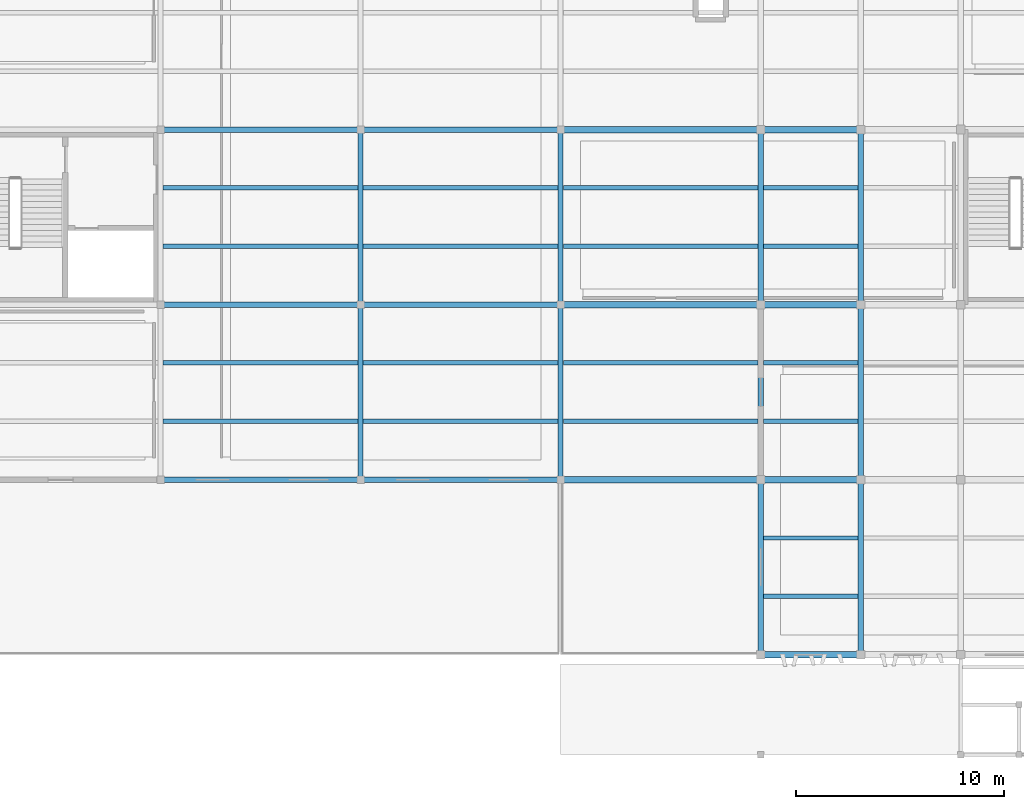
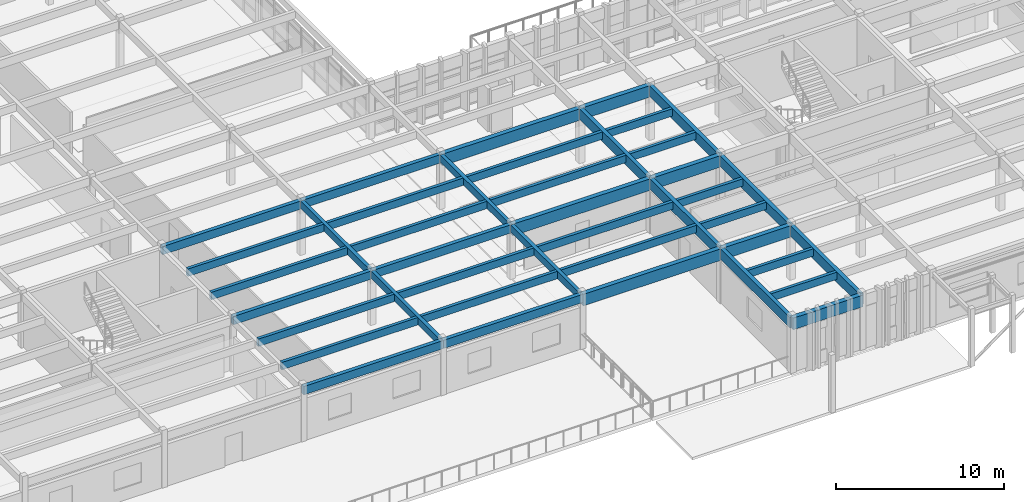
# One storey, part 6 of 61: 41 beams.
"""IFC4 building model written with IfcOpenShell, lengths in metres."""

from ifc_helpers import new_model, si_unit, direction, frame, origin, origin_2d, place, context, subcontext, project, spatial, rectangle, extrude, material, material_profile, profile_set, type_object, element, save


model = new_model("IFC4")

# Units and contexts
model_context = context("Model", 3, precision=1e-05, world=origin(), true_north=direction((0.0, 1.0)))
body_context = subcontext(model_context, "Body", "Model", "MODEL_VIEW")
ifc_project = project(units=[si_unit("LENGTHUNIT", "METRE"), si_unit("AREAUNIT", "SQUARE_METRE"), si_unit("VOLUMEUNIT", "CUBIC_METRE"), si_unit("PLANEANGLEUNIT", "RADIAN"), si_unit("MASSUNIT", "GRAM", prefix="KILO")], contexts=[model_context])

# Site, building, storey
site_placement = place(None, origin())
site = spatial("IfcSite", under=ifc_project, at=site_placement, CompositionType="ELEMENT")
building_placement = place(site_placement, origin())
building = spatial("IfcBuilding", under=site, at=building_placement, Name="Kolvemor Railside Polytechnic", CompositionType="ELEMENT")
storey_placement = place(building_placement, frame((0.0, 0.0, 10.199951171875)))
storey = spatial("IfcBuildingStorey", under=building, at=storey_placement, Name="L02", CompositionType="ELEMENT", Elevation=10.199951171875)

# Beams
ifc_material_1 = material(Name="Glulam GL28h", Category="wood")
ifc_material_profile_1 = material_profile(ifc_material_1, rectangle(XDim=0.264892578125, YDim=0.760009765625, at=origin_2d()), Name="GL265x760")
ifc_profile_set_1 = profile_set([ifc_material_profile_1], Name="Glulam GL28h")
beam_type_1 = type_object("IfcBeamType", Name="BM-GL-GIRD1", PredefinedType="BEAM", material=ifc_profile_set_1)
beam_1_placement = place(storey_placement, frame((57.60009765625, 4.800048828125, 3.570068359375), z_axis=(0.0, 1.0, 0.0), x_axis=(-1.0, 0.0, 0.0)))
element("IfcBeam", 1, at=beam_1_placement, inside=storey, type_object=beam_type_1, Name="Primary Girder L03-GY 1261", PredefinedType="BEAM", context=body_context, shape_type="SweptSolid", body=[
    extrude(rectangle(XDim=0.264892578125, YDim=0.760009765625, at=origin_2d()), origin(), (0.0, 0.0, 1.0), 8.39990234375),
])
beam_2_placement = place(storey_placement, frame((57.60009765625, 13.199951171875, 3.570068359375), z_axis=(0.0, 1.0, 0.0), x_axis=(-1.0, 0.0, 0.0)))
element("IfcBeam", 2, at=beam_2_placement, inside=storey, type_object=beam_type_1, Name="Primary Girder L03-GY 1262", PredefinedType="BEAM", context=body_context, shape_type="SweptSolid", body=[
    extrude(rectangle(XDim=0.264892578125, YDim=0.760009765625, at=origin_2d()), origin(), (0.0, 0.0, 1.0), 8.400146484375),
])
for number, where, z_axis, x_axis, name in (
    (3, (57.60009765625, 21.60009765625, 3.570068359375), (0.0, 1.0, 0.0), (-1.0, 0.0, 0.0), "Primary Girder L03-GY 1263"),
    (4, (62.39990234375, 4.800048828125, 3.570068359375), (0.0, 1.0, 0.0), (-1.0, 0.0, 0.0), "Primary Girder L03-GY 1265"),
):
    element("IfcBeam", number, at=place(storey_placement, frame(where, z_axis=z_axis, x_axis=x_axis)), inside=storey, type_object=beam_type_1, Name=name, PredefinedType="BEAM", context=body_context, shape_type="SweptSolid", body=[
        extrude(rectangle(XDim=0.264892578125, YDim=0.760009765625, at=origin_2d()), origin(), (0.0, 0.0, 1.0), 8.39990234375),
    ])
beam_3_placement = place(storey_placement, frame((62.39990234375, 13.199951171875, 3.570068359375), z_axis=(0.0, 1.0, 0.0), x_axis=(-1.0, 0.0, 0.0)))
element("IfcBeam", 5, at=beam_3_placement, inside=storey, type_object=beam_type_1, Name="Primary Girder L03-GY 1266", PredefinedType="BEAM", context=body_context, shape_type="SweptSolid", body=[
    extrude(rectangle(XDim=0.264892578125, YDim=0.760009765625, at=origin_2d()), origin(), (0.0, 0.0, 1.0), 8.400146484375),
])
beam_4_placement = place(storey_placement, frame((62.39990234375, 21.60009765625, 3.570068359375), z_axis=(0.0, 1.0, 0.0), x_axis=(-1.0, 0.0, 0.0)))
element("IfcBeam", 6, at=beam_4_placement, inside=storey, type_object=beam_type_1, Name="Primary Girder L03-GY 1267", PredefinedType="BEAM", context=body_context, shape_type="SweptSolid", body=[
    extrude(rectangle(XDim=0.264892578125, YDim=0.760009765625, at=origin_2d()), origin(), (0.0, 0.0, 1.0), 8.39990234375),
])
ifc_material_2 = material(Name="Glulam GL28h", Category="wood")
ifc_material_profile_2 = material_profile(ifc_material_2, rectangle(XDim=0.31494140625, YDim=0.840087890625, at=origin_2d()), Name="GL315x840")
ifc_profile_set_2 = profile_set([ifc_material_profile_2], Name="Glulam GL28h")
beam_type_2 = type_object("IfcBeamType", Name="BM-GL-GIRD3", PredefinedType="BEAM", material=ifc_profile_set_2)
for number, where, z_axis, x_axis, name in (
    (7, (57.60009765625, 4.800048828125, 3.530029296875), (1.0, 0.0, 0.0), (0.0, 1.0, 0.0), "Primary Girder L03-GX 1216"),
    (8, (57.60009765625, 13.199951171875, 3.530029296875), (1.0, 0.0, 0.0), (0.0, 1.0, 0.0), "Primary Girder L03-GX 1225"),
    (9, (57.60009765625, 21.60009765625, 3.530029296875), (1.0, 0.0, 0.0), (0.0, 1.0, 0.0), "Primary Girder L03-GX 1234"),
    (10, (57.60009765625, 30.0, 3.530029296875), (1.0, 0.0, 0.0), (0.0, 1.0, 0.0), "Primary Girder L03-GX 1243"),
):
    element("IfcBeam", number, at=place(storey_placement, frame(where, z_axis=z_axis, x_axis=x_axis)), inside=storey, type_object=beam_type_2, Name=name, PredefinedType="BEAM", context=body_context, shape_type="SweptSolid", body=[
        extrude(rectangle(XDim=0.31494140625, YDim=0.840087890625, at=origin_2d()), origin(), (0.0, 0.0, 1.0), 4.7998046875),
    ])
for number, where, z_axis, x_axis, name in (
    (11, (48.0, 13.199951171875, 3.530029296875), (1.0, 0.0, 0.0), (0.0, 1.0, 0.0), "Primary Girder L03-GX 1910"),
    (12, (48.0, 21.60009765625, 3.530029296875), (1.0, 0.0, 0.0), (0.0, 1.0, 0.0), "Primary Girder L03-GX 1911"),
    (13, (48.0, 30.0, 3.530029296875), (1.0, 0.0, 0.0), (0.0, 1.0, 0.0), "Primary Girder L03-GX 1912"),
):
    element("IfcBeam", number, at=place(storey_placement, frame(where, z_axis=z_axis, x_axis=x_axis)), inside=storey, type_object=beam_type_2, Name=name, PredefinedType="BEAM", context=body_context, shape_type="SweptSolid", body=[
        extrude(rectangle(XDim=0.31494140625, YDim=0.840087890625, at=origin_2d()), origin(), (0.0, 0.0, 1.0), 9.60009765625),
    ])
ifc_material_3 = material(Name="Glulam GL28h", Category="wood")
ifc_material_profile_3 = material_profile(ifc_material_3, rectangle(XDim=0.264892578125, YDim=0.60009765625, at=origin_2d()), Name="GL265x600")
ifc_profile_set_3 = profile_set([ifc_material_profile_3], Name="Glulam GL28h")
beam_type_3 = type_object("IfcBeamType", Name="BM-GL-GIRD7", PredefinedType="BEAM", material=ifc_profile_set_3)
beam_5_placement = place(storey_placement, frame((28.800048828125, 13.199951171875, 3.650146484375), z_axis=(1.0, 0.0, 0.0), x_axis=(0.0, 1.0, 0.0)))
element("IfcBeam", 14, at=beam_5_placement, inside=storey, type_object=beam_type_3, Name="Primary Girder L03-GX 1099", PredefinedType="BEAM", context=body_context, shape_type="SweptSolid", body=[
    extrude(rectangle(XDim=0.264892578125, YDim=0.60009765625, at=origin_2d()), origin(), (0.0, 0.0, 1.0), 9.599853515625),
])
beam_6_placement = place(storey_placement, frame((38.39990234375, 13.199951171875, 3.650146484375), z_axis=(1.0, 0.0, 0.0), x_axis=(0.0, 1.0, 0.0)))
element("IfcBeam", 15, at=beam_6_placement, inside=storey, type_object=beam_type_3, Name="Primary Girder L03-GX 1100", PredefinedType="BEAM", context=body_context, shape_type="SweptSolid", body=[
    extrude(rectangle(XDim=0.264892578125, YDim=0.60009765625, at=origin_2d()), origin(), (0.0, 0.0, 1.0), 9.60009765625),
])
beam_7_placement = place(storey_placement, frame((28.800048828125, 21.60009765625, 3.650146484375), z_axis=(1.0, 0.0, 0.0), x_axis=(0.0, 1.0, 0.0)))
element("IfcBeam", 16, at=beam_7_placement, inside=storey, type_object=beam_type_3, Name="Primary Girder L03-GX 1103", PredefinedType="BEAM", context=body_context, shape_type="SweptSolid", body=[
    extrude(rectangle(XDim=0.264892578125, YDim=0.60009765625, at=origin_2d()), origin(), (0.0, 0.0, 1.0), 9.599853515625),
])
beam_8_placement = place(storey_placement, frame((38.39990234375, 21.60009765625, 3.650146484375), z_axis=(1.0, 0.0, 0.0), x_axis=(0.0, 1.0, 0.0)))
element("IfcBeam", 17, at=beam_8_placement, inside=storey, type_object=beam_type_3, Name="Primary Girder L03-GX 1104", PredefinedType="BEAM", context=body_context, shape_type="SweptSolid", body=[
    extrude(rectangle(XDim=0.264892578125, YDim=0.60009765625, at=origin_2d()), origin(), (0.0, 0.0, 1.0), 9.60009765625),
])
beam_9_placement = place(storey_placement, frame((28.800048828125, 30.0, 3.650146484375), z_axis=(1.0, 0.0, 0.0), x_axis=(0.0, 1.0, 0.0)))
element("IfcBeam", 18, at=beam_9_placement, inside=storey, type_object=beam_type_3, Name="Primary Girder L03-GX 1107", PredefinedType="BEAM", context=body_context, shape_type="SweptSolid", body=[
    extrude(rectangle(XDim=0.264892578125, YDim=0.60009765625, at=origin_2d()), origin(), (0.0, 0.0, 1.0), 9.599853515625),
])
beam_10_placement = place(storey_placement, frame((38.39990234375, 30.0, 3.650146484375), z_axis=(1.0, 0.0, 0.0), x_axis=(0.0, 1.0, 0.0)))
element("IfcBeam", 19, at=beam_10_placement, inside=storey, type_object=beam_type_3, Name="Primary Girder L03-GX 1108", PredefinedType="BEAM", context=body_context, shape_type="SweptSolid", body=[
    extrude(rectangle(XDim=0.264892578125, YDim=0.60009765625, at=origin_2d()), origin(), (0.0, 0.0, 1.0), 9.60009765625),
])
ifc_material_4 = material(Name="Glulam GL28h", Category="wood")
ifc_material_profile_4 = material_profile(ifc_material_4, rectangle(XDim=0.239990234375, YDim=0.52001953125, at=origin_2d()), Name="GL240x520")
ifc_profile_set_4 = profile_set([ifc_material_profile_4], Name="Glulam GL28h")
beam_type_4 = type_object("IfcBeamType", Name="BM-GL-GIRD8", PredefinedType="BEAM", material=ifc_profile_set_4)
beam_11_placement = place(storey_placement, frame((38.39990234375, 13.199951171875, 3.68994140625), z_axis=(0.0, 1.0, 0.0), x_axis=(-1.0, 0.0, 0.0)))
element("IfcBeam", 20, at=beam_11_placement, inside=storey, type_object=beam_type_4, Name="Primary Girder L03-GY 1150", PredefinedType="BEAM", context=body_context, shape_type="SweptSolid", body=[
    extrude(rectangle(XDim=0.239990234375, YDim=0.52001953125, at=origin_2d()), origin(), (0.0, 0.0, 1.0), 8.400146484375),
])
beam_12_placement = place(storey_placement, frame((38.39990234375, 21.60009765625, 3.68994140625), z_axis=(0.0, 1.0, 0.0), x_axis=(-1.0, 0.0, 0.0)))
element("IfcBeam", 21, at=beam_12_placement, inside=storey, type_object=beam_type_4, Name="Primary Girder L03-GY 1151", PredefinedType="BEAM", context=body_context, shape_type="SweptSolid", body=[
    extrude(rectangle(XDim=0.239990234375, YDim=0.52001953125, at=origin_2d()), origin(), (0.0, 0.0, 1.0), 8.39990234375),
])
beam_13_placement = place(storey_placement, frame((48.0, 13.199951171875, 3.68994140625), z_axis=(0.0, 1.0, 0.0), x_axis=(-1.0, 0.0, 0.0)))
element("IfcBeam", 22, at=beam_13_placement, inside=storey, type_object=beam_type_4, Name="Primary Girder L03-GY 1157", PredefinedType="BEAM", context=body_context, shape_type="SweptSolid", body=[
    extrude(rectangle(XDim=0.239990234375, YDim=0.52001953125, at=origin_2d()), origin(), (0.0, 0.0, 1.0), 8.400146484375),
])
beam_14_placement = place(storey_placement, frame((48.0, 21.60009765625, 3.68994140625), z_axis=(0.0, 1.0, 0.0), x_axis=(-1.0, 0.0, 0.0)))
element("IfcBeam", 23, at=beam_14_placement, inside=storey, type_object=beam_type_4, Name="Primary Girder L03-GY 1158", PredefinedType="BEAM", context=body_context, shape_type="SweptSolid", body=[
    extrude(rectangle(XDim=0.239990234375, YDim=0.52001953125, at=origin_2d()), origin(), (0.0, 0.0, 1.0), 8.39990234375),
])
ifc_material_5 = material(Name="Glulam GL28h", Category="wood")
ifc_material_profile_5 = material_profile(ifc_material_5, rectangle(XDim=0.215087890625, YDim=0.5400390625, at=origin_2d()), Name="GL215x540")
ifc_profile_set_5 = profile_set([ifc_material_profile_5], Name="Glulam GL28h")
beam_type_5 = type_object("IfcBeamType", Name="BM-GL-JST1", PredefinedType="JOIST", material=ifc_profile_set_5)
for number, where, z_axis, x_axis, name in (
    (24, (28.919921875, 16.0, 3.679931640625), (1.0, 0.0, 0.0), (0.0, 1.0, 0.0), "Floor Joist L03-J1188"),
    (25, (28.919921875, 18.800048828125, 3.679931640625), (1.0, 0.0, 0.0), (0.0, 1.0, 0.0), "Floor Joist L03-J1189"),
    (26, (28.919921875, 24.39990234375, 3.679931640625), (1.0, 0.0, 0.0), (0.0, 1.0, 0.0), "Floor Joist L03-J1190"),
    (27, (28.919921875, 27.199951171875, 3.679931640625), (1.0, 0.0, 0.0), (0.0, 1.0, 0.0), "Floor Joist L03-J1191"),
):
    element("IfcBeam", number, at=place(storey_placement, frame(where, z_axis=z_axis, x_axis=x_axis)), inside=storey, type_object=beam_type_5, Name=name, PredefinedType="JOIST", context=body_context, shape_type="SweptSolid", body=[
        extrude(rectangle(XDim=0.215087890625, YDim=0.5400390625, at=origin_2d()), origin(), (0.0, 0.0, 1.0), 9.360107421875),
    ])
for number, where, z_axis, x_axis, name in (
    (28, (38.52001953125, 16.0, 3.679931640625), (1.0, 0.0, 0.0), (0.0, 1.0, 0.0), "Floor Joist L03-J1202"),
    (29, (38.52001953125, 18.800048828125, 3.679931640625), (1.0, 0.0, 0.0), (0.0, 1.0, 0.0), "Floor Joist L03-J1203"),
    (30, (38.52001953125, 24.39990234375, 3.679931640625), (1.0, 0.0, 0.0), (0.0, 1.0, 0.0), "Floor Joist L03-J1204"),
    (31, (38.52001953125, 27.199951171875, 3.679931640625), (1.0, 0.0, 0.0), (0.0, 1.0, 0.0), "Floor Joist L03-J1205"),
):
    element("IfcBeam", number, at=place(storey_placement, frame(where, z_axis=z_axis, x_axis=x_axis)), inside=storey, type_object=beam_type_5, Name=name, PredefinedType="JOIST", context=body_context, shape_type="SweptSolid", body=[
        extrude(rectangle(XDim=0.215087890625, YDim=0.5400390625, at=origin_2d()), origin(), (0.0, 0.0, 1.0), 9.35986328125),
    ])
for number, where, z_axis, x_axis, name in (
    (32, (57.73291015625, 7.60009765625, 3.679931640625), (1.0, 0.0, 0.0), (0.0, 1.0, 0.0), "Floor Joist L03-J1301"),
    (33, (57.73291015625, 10.39990234375, 3.679931640625), (1.0, 0.0, 0.0), (0.0, 1.0, 0.0), "Floor Joist L03-J1302"),
    (34, (57.73291015625, 16.0, 3.679931640625), (1.0, 0.0, 0.0), (0.0, 1.0, 0.0), "Floor Joist L03-J1303"),
    (35, (57.73291015625, 18.800048828125, 3.679931640625), (1.0, 0.0, 0.0), (0.0, 1.0, 0.0), "Floor Joist L03-J1304"),
    (36, (57.73291015625, 24.39990234375, 3.679931640625), (1.0, 0.0, 0.0), (0.0, 1.0, 0.0), "Floor Joist L03-J1305"),
    (37, (57.73291015625, 27.199951171875, 3.679931640625), (1.0, 0.0, 0.0), (0.0, 1.0, 0.0), "Floor Joist L03-J1306"),
):
    element("IfcBeam", number, at=place(storey_placement, frame(where, z_axis=z_axis, x_axis=x_axis)), inside=storey, type_object=beam_type_5, Name=name, PredefinedType="JOIST", context=body_context, shape_type="SweptSolid", body=[
        extrude(rectangle(XDim=0.215087890625, YDim=0.5400390625, at=origin_2d()), origin(), (0.0, 0.0, 1.0), 4.5341796875),
    ])
for number, where, z_axis, x_axis, name in (
    (38, (48.133056640625, 16.0, 3.679931640625), (1.0, 0.0, 0.0), (0.0, 1.0, 0.0), "Floor Joist L03-J1914"),
    (39, (48.133056640625, 18.800048828125, 3.679931640625), (1.0, 0.0, 0.0), (0.0, 1.0, 0.0), "Floor Joist L03-J1915"),
    (40, (48.133056640625, 24.39990234375, 3.679931640625), (1.0, 0.0, 0.0), (0.0, 1.0, 0.0), "Floor Joist L03-J1916"),
    (41, (48.133056640625, 27.199951171875, 3.679931640625), (1.0, 0.0, 0.0), (0.0, 1.0, 0.0), "Floor Joist L03-J1917"),
):
    element("IfcBeam", number, at=place(storey_placement, frame(where, z_axis=z_axis, x_axis=x_axis)), inside=storey, type_object=beam_type_5, Name=name, PredefinedType="JOIST", context=body_context, shape_type="SweptSolid", body=[
        extrude(rectangle(XDim=0.215087890625, YDim=0.5400390625, at=origin_2d()), origin(), (0.0, 0.0, 1.0), 9.333984375),
    ])

save(model, "model.ifc")
